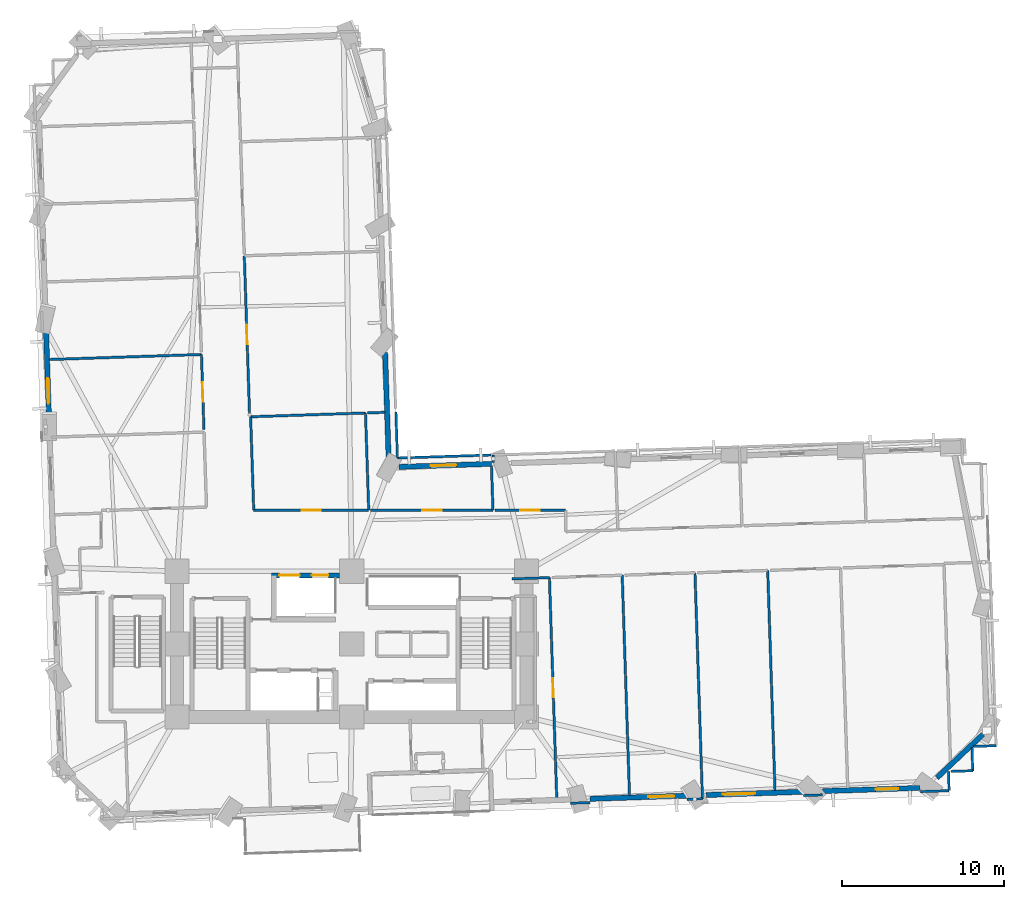
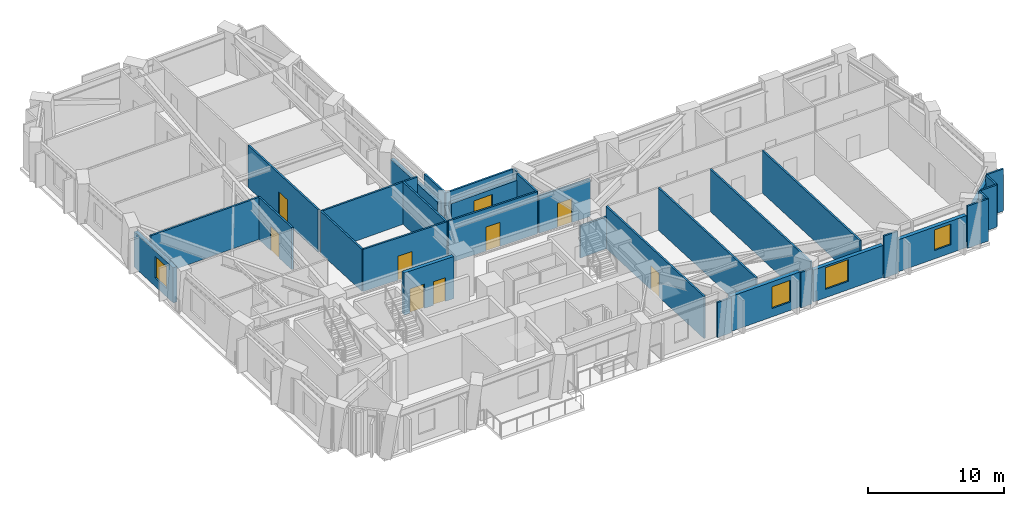
# One storey, part 7 of 14: 35 walls, 8 doors, 5 windows, 13 openings.
"""IFC4 building model written with IfcOpenShell, lengths in metres."""

from ifc_helpers import new_model, si_unit, direction, frame, frame_2d, origin, place, context, subcontext, project, spatial, rectangle, extrude, material, layer, layer_set, type_object, element, fill, save


model = new_model("IFC4")

# Units and contexts
model_context = context("Model", 3, precision=1e-05, world=origin(), true_north=direction((0.0, 1.0)))
body_context = subcontext(model_context, "Body", "Model", "MODEL_VIEW")
ifc_project = project(units=[si_unit("LENGTHUNIT", "METRE"), si_unit("AREAUNIT", "SQUARE_METRE"), si_unit("VOLUMEUNIT", "CUBIC_METRE"), si_unit("PLANEANGLEUNIT", "RADIAN"), si_unit("MASSUNIT", "GRAM", prefix="KILO")], contexts=[model_context])

# Site, building, storey
site_placement = place(None, origin())
site = spatial("IfcSite", under=ifc_project, at=site_placement, CompositionType="ELEMENT")
building_placement = place(site_placement, origin())
building = spatial("IfcBuilding", under=site, at=building_placement, Name="Gaonmaruhae Medical Tower", CompositionType="ELEMENT")
storey_placement = place(building_placement, frame((0.0, 0.0, 31.0)))
storey = spatial("IfcBuildingStorey", under=building, at=storey_placement, Name="L06", CompositionType="ELEMENT", Elevation=31.0)

# Wall, opening, window
ifc_material_1 = material(Name="Precast concrete C45/55", Category="concrete")
ifc_layer_1 = layer(ifc_material_1, 0.320068359375)
ifc_layer_set_1 = layer_set([ifc_layer_1], Name="Precast concrete C45/55")
wall_type_1 = type_object("IfcWallType", Name="EW-320 Lower Precast Masonry-Frame Facade Wall", PredefinedType="SOLIDWALL", material=ifc_layer_set_1)
wall_1_placement = place(storey_placement, frame((45.51513671875, 2.93310546875, 0.0), z_axis=(0.0, 0.0, 1.0), x_axis=(-0.999450004557, -0.033161549901, 0.0)))
wall_1 = element("IfcWall", 1, at=wall_1_placement, inside=storey, type_object=wall_type_1, Name="L06 Precast Masonry-Frame Wall S05-S06", PredefinedType="SOLIDWALL", context=body_context, shape_type="SweptSolid", body=[
    extrude(rectangle(XDim=5.992919921875, YDim=0.320068359375, at=frame_2d((2.99658203125, 0.0))), origin(), (0.0, 0.0, 1.0), 3.14501953125),
])
opening_1_placement = place(wall_1_placement, frame((0.78857421875, 0.0, 0.75)))
opening_1 = element("IfcOpeningElement", 2, at=opening_1_placement, cuts=wall_1, Name="Opening WN-01", PredefinedType="OPENING", context=body_context, shape_type="SweptSolid", body=[
    extrude(rectangle(XDim=1.60009765625, YDim=1.949951171875, at=frame_2d((0.800048828125, 0.97509765625))), frame((0.0, 0.169921875, 0.0), z_axis=(0.0, -1.0, 0.0), x_axis=(1.0, 0.0, 0.0)), (0.0, 0.0, 1.0), 0.340087890625),
])
ifc_material_2 = material(Name="Anodised aluminium and Low-E double glazing", Category="aluminium")
window_type_1 = type_object("IfcWindowType", Name="WN-01 Ward Punched Acoustic Window 1600x1950", PartitioningType="SINGLE_PANEL", PredefinedType="WINDOW", material=ifc_material_2)
window_1_placement = place(opening_1_placement, origin())
window_1 = element("IfcWindow", 3, at=window_1_placement, inside=storey, type_object=window_type_1, Name="L06 Modular Facade Window S05", OverallHeight=1.949951171875, OverallWidth=1.60009765625, PartitioningType="SINGLE_PANEL", PredefinedType="WINDOW", context=body_context, shape_type="SweptSolid", body=[
    extrude(rectangle(XDim=1.60009765625, YDim=1.949951171875, at=frame_2d((0.800048828125, 0.97509765625))), frame((0.0, 0.030029296875, 0.0), z_axis=(0.0, -1.0, 0.0), x_axis=(1.0, 0.0, 0.0)), (0.0, 0.0, 1.0), 0.06005859375),
])
fill(opening_1, window_1)

wall_2_placement = place(storey_placement, frame((52.7236328125, 3.172119140625, 0.0), z_axis=(0.0, 0.0, 1.0), x_axis=(-0.999450884899, -0.033135006788, 0.0)))
wall_2 = element("IfcWall", 4, at=wall_2_placement, inside=storey, type_object=wall_type_1, Name="L06 Precast Masonry-Frame Wall S06-S07", PredefinedType="SOLIDWALL", context=body_context, shape_type="SweptSolid", body=[
    extrude(rectangle(XDim=6.012451171875, YDim=0.320068359375, at=frame_2d((3.00634765625, 0.0))), origin(), (0.0, 0.0, 1.0), 2.864990234375),
])
opening_2_placement = place(wall_2_placement, frame((2.987548828125, 0.0, 0.75)))
opening_2 = element("IfcOpeningElement", 5, at=opening_2_placement, cuts=wall_2, Name="Opening WN-02", PredefinedType="OPENING", context=body_context, shape_type="SweptSolid", body=[
    extrude(rectangle(XDim=2.0, YDim=1.949951171875, at=frame_2d((1.0, 0.97509765625))), frame((0.0, 0.169921875, 0.0), z_axis=(0.0, -1.0, 0.0), x_axis=(1.0, 0.0, 0.0)), (0.0, 0.0, 1.0), 0.340087890625),
])
window_type_2 = type_object("IfcWindowType", Name="WN-02 Double-Bed Ward Punched Window 2000x1950", PartitioningType="SINGLE_PANEL", PredefinedType="WINDOW", material=ifc_material_2)
window_2_placement = place(opening_2_placement, origin())
window_2 = element("IfcWindow", 6, at=window_2_placement, inside=storey, type_object=window_type_2, Name="L06 Modular Facade Window S06", OverallHeight=1.949951171875, OverallWidth=2.0, PartitioningType="SINGLE_PANEL", PredefinedType="WINDOW", context=body_context, shape_type="SweptSolid", body=[
    extrude(rectangle(XDim=2.0, YDim=1.949951171875, at=frame_2d((1.0, 0.97509765625))), frame((0.0, 0.030029296875, 0.0), z_axis=(0.0, -1.0, 0.0), x_axis=(1.0, 0.0, 0.0)), (0.0, 0.0, 1.0), 0.06005859375),
])
fill(opening_2, window_2)

wall_3_placement = place(storey_placement, frame((59.9384765625, 3.41162109375, 0.0), z_axis=(0.0, 0.0, 1.0), x_axis=(-0.999450050227, -0.033160173418, 0.0)))
wall_3 = element("IfcWall", 7, at=wall_3_placement, inside=storey, type_object=wall_type_1, Name="L06 Precast Masonry-Frame Wall S07-S08", PredefinedType="SOLIDWALL", context=body_context, shape_type="SweptSolid", body=[
    extrude(rectangle(XDim=6.044677734375, YDim=0.320068359375, at=frame_2d((3.0224609375, 0.0))), origin(), (0.0, 0.0, 1.0), 2.864990234375),
])
opening_3_placement = place(wall_3_placement, frame((1.361328125, 0.0, 0.75)))
opening_3 = element("IfcOpeningElement", 8, at=opening_3_placement, cuts=wall_3, Name="Opening WN-03", PredefinedType="OPENING", context=body_context, shape_type="SweptSolid", body=[
    extrude(rectangle(XDim=1.39990234375, YDim=1.85009765625, at=frame_2d((0.699951171875, 0.925048828125))), frame((0.0, 0.169921875, 0.0), z_axis=(0.0, -1.0, 0.0), x_axis=(1.0, 0.0, 0.0)), (0.0, 0.0, 1.0), 0.340087890625),
])
window_type_3 = type_object("IfcWindowType", Name="WN-03 Isolation Ward Punched Window 1400x1850", PartitioningType="SINGLE_PANEL", PredefinedType="WINDOW", material=ifc_material_2)
window_3_placement = place(opening_3_placement, origin())
window_3 = element("IfcWindow", 9, at=window_3_placement, inside=storey, type_object=window_type_3, Name="L06 Modular Facade Window S07", OverallHeight=1.85009765625, OverallWidth=1.39990234375, PartitioningType="SINGLE_PANEL", PredefinedType="WINDOW", context=body_context, shape_type="SweptSolid", body=[
    extrude(rectangle(XDim=1.39990234375, YDim=1.85009765625, at=frame_2d((0.699951171875, 0.925048828125))), frame((0.0, 0.030029296875, 0.0), z_axis=(0.0, -1.0, 0.0), x_axis=(1.0, 0.0, 0.0)), (0.0, 0.0, 1.0), 0.06005859375),
])
fill(opening_3, window_3)

# Wall
wall_4_placement = place(storey_placement, frame((63.82470703125, 6.729248046875, 0.0), z_axis=(0.0, 0.0, 1.0), x_axis=(-0.727201022691, -0.686424557105, 0.0)))
element("IfcWall", 10, at=wall_4_placement, inside=storey, type_object=wall_type_1, Name="L06 Precast Masonry-Frame Wall S08-E01", PredefinedType="SOLIDWALL", context=body_context, shape_type="SweptSolid", body=[
    extrude(rectangle(XDim=3.927734375, YDim=0.320068359375, at=frame_2d((1.9638671875, 0.0))), origin(), (0.0, 0.0, 1.0), 3.1650390625),
])

# Wall, opening, window
wall_5_placement = place(storey_placement, frame((27.715087890625, 23.25390625, 0.0), z_axis=(0.0, 0.0, 1.0), x_axis=(0.999450231938, 0.033154696192, 0.0)))
wall_5 = element("IfcWall", 11, at=wall_5_placement, inside=storey, type_object=wall_type_1, Name="L06 Precast Masonry-Frame Wall EN04-KN01", PredefinedType="SOLIDWALL", context=body_context, shape_type="SweptSolid", body=[
    extrude(rectangle(XDim=5.736328125, YDim=0.320068359375, at=frame_2d((2.8681640625, 0.0))), origin(), (0.0, 0.0, 1.0), 3.1650390625),
])
opening_4_placement = place(wall_5_placement, frame((1.956787109375, 0.0, 0.75)))
opening_4 = element("IfcOpeningElement", 12, at=opening_4_placement, cuts=wall_5, Name="Opening WN-01", PredefinedType="OPENING", context=body_context, shape_type="SweptSolid", body=[
    extrude(rectangle(XDim=1.60009765625, YDim=1.949951171875, at=frame_2d((0.800048828125, 0.97509765625))), frame((0.0, 0.169921875, 0.0), z_axis=(0.0, -1.0, 0.0), x_axis=(1.0, 0.0, 0.0)), (0.0, 0.0, 1.0), 0.340087890625),
])
window_4_placement = place(opening_4_placement, origin())
window_4 = element("IfcWindow", 13, at=window_4_placement, inside=storey, type_object=window_type_1, Name="L06 Modular Facade Window EN04", OverallHeight=1.949951171875, OverallWidth=1.60009765625, PartitioningType="SINGLE_PANEL", PredefinedType="WINDOW", context=body_context, shape_type="SweptSolid", body=[
    extrude(rectangle(XDim=1.60009765625, YDim=1.949951171875, at=frame_2d((0.800048828125, 0.97509765625))), frame((0.0, 0.030029296875, 0.0), z_axis=(0.0, -1.0, 0.0), x_axis=(1.0, 0.0, 0.0)), (0.0, 0.0, 1.0), 0.06005859375),
])
fill(opening_4, window_4)

# Wall
wall_6_placement = place(storey_placement, frame((27.080078125, 23.786865234375, 0.0), z_axis=(0.0, 0.0, 1.0), x_axis=(-0.033169315514, 0.999449746865, 0.0)))
element("IfcWall", 14, at=wall_6_placement, inside=storey, type_object=wall_type_1, Name="L06 Precast Masonry-Frame Wall KN01-NE01", PredefinedType="SOLIDWALL", context=body_context, shape_type="SweptSolid", body=[
    extrude(rectangle(XDim=6.5361328125, YDim=0.320068359375, at=frame_2d((3.26806640625, 0.0))), origin(), (0.0, 0.0, 1.0), 3.1650390625),
])

# Wall, opening, window
wall_7_placement = place(storey_placement, frame((6.087890625, 26.218505859375, 0.0), z_axis=(0.0, 0.0, 1.0), x_axis=(-0.033177305137, 0.999449481677, 0.0)))
wall_7 = element("IfcWall", 15, at=wall_7_placement, inside=storey, type_object=wall_type_1, Name="L06 Precast Masonry-Frame Wall W03-W04", PredefinedType="SOLIDWALL", context=body_context, shape_type="SweptSolid", body=[
    extrude(rectangle(XDim=5.43798828125, YDim=0.320068359375, at=frame_2d((2.718994140625, 0.0))), origin(), (0.0, 0.0, 1.0), 3.1650390625),
])
opening_5_placement = place(wall_7_placement, frame((0.93017578125, 0.0, 0.75)))
opening_5 = element("IfcOpeningElement", 16, at=opening_5_placement, cuts=wall_7, Name="Opening WN-01", PredefinedType="OPENING", context=body_context, shape_type="SweptSolid", body=[
    extrude(rectangle(XDim=1.60009765625, YDim=1.949951171875, at=frame_2d((0.800048828125, 0.97509765625))), frame((0.0, 0.169921875, 0.0), z_axis=(0.0, -1.0, 0.0), x_axis=(1.0, 0.0, 0.0)), (0.0, 0.0, 1.0), 0.340087890625),
])
window_5_placement = place(opening_5_placement, origin())
window_5 = element("IfcWindow", 17, at=window_5_placement, inside=storey, type_object=window_type_1, Name="L06 Modular Facade Window W03", OverallHeight=1.949951171875, OverallWidth=1.60009765625, PartitioningType="SINGLE_PANEL", PredefinedType="WINDOW", context=body_context, shape_type="SweptSolid", body=[
    extrude(rectangle(XDim=1.60009765625, YDim=1.949951171875, at=frame_2d((0.800048828125, 0.97509765625))), frame((0.0, 0.030029296875, 0.0), z_axis=(0.0, -1.0, 0.0), x_axis=(1.0, 0.0, 0.0)), (0.0, 0.0, 1.0), 0.06005859375),
])
fill(opening_5, window_5)

# Wall
ifc_material_3 = material(Name="Gypsum board partition", Category="gypsum")
ifc_layer_2 = layer(ifc_material_3, 0.14990234375)
ifc_layer_set_2 = layer_set([ifc_layer_2], Name="Gypsum board partition")
wall_type_2 = type_object("IfcWallType", Name="PW-150 Rated Clinical Corridor Partition", PredefinedType="PARTITIONING", material=ifc_layer_set_2)
wall_8_placement = place(storey_placement, frame((34.7060546875, 16.33203125, 0.0), z_axis=(0.0, 0.0, 1.0), x_axis=(0.999448179147, 0.033216519986, 0.0)))
element("IfcWall", 18, at=wall_8_placement, inside=storey, type_object=wall_type_2, Name="L06 Interior Partition L06-TRM07-32", PredefinedType="PARTITIONING", context=body_context, shape_type="SweptSolid", body=[
    extrude(rectangle(XDim=2.315185546875, YDim=0.14990234375, at=frame_2d((1.15771484375, 0.0))), origin(), (0.0, 0.0, 1.0), 2.864990234375),
])

# Wall, opening, door
wall_9_placement = place(storey_placement, frame((37.02001953125, 16.408935546875, 0.0), z_axis=(0.0, 0.0, 1.0), x_axis=(0.033190644995, -0.999449038763, 0.0)))
wall_9 = element("IfcWall", 19, at=wall_9_placement, inside=storey, type_object=wall_type_2, Name="L06 Interior Partition L06-TRM07-33", PredefinedType="PARTITIONING", context=body_context, shape_type="SweptSolid", body=[
    extrude(rectangle(XDim=13.615478515625, YDim=0.14990234375, at=frame_2d((6.8076171875, 0.0))), origin(), (0.0, 0.0, 1.0), 3.780029296875),
])
opening_6_placement = place(wall_9_placement, frame((6.207763671875, 0.0, 0.0)))
opening_6 = element("IfcOpeningElement", 20, at=opening_6_placement, cuts=wall_9, Name="Opening CD-02", PredefinedType="OPENING", context=body_context, shape_type="SweptSolid", body=[
    extrude(rectangle(XDim=1.199951171875, YDim=2.14990234375, at=frame_2d((0.60009765625, 1.074951171875))), frame((0.0, 0.0849609375, 0.0), z_axis=(0.0, -1.0, 0.0), x_axis=(1.0, 0.0, 0.0)), (0.0, 0.0, 1.0), 0.169921875),
])
ifc_material_4 = material(Name="Antimicrobial laminate timber fire door", Category="wood")
door_type_1 = type_object("IfcDoorType", Name="CD-02 Clinical Treatment & Procedure Door 1200x2150", OperationType="NOTDEFINED", PredefinedType="DOOR", material=ifc_material_4)
door_1_placement = place(opening_6_placement, origin())
door_1 = element("IfcDoor", 21, at=door_1_placement, inside=storey, type_object=door_type_1, Name="L06 Clinical Procedure Examination Room Sliding Door", OperationType="SLIDING_TO_LEFT", OverallHeight=2.14990234375, OverallWidth=1.199951171875, PredefinedType="DOOR", context=body_context, shape_type="SweptSolid", body=[
    extrude(rectangle(XDim=1.199951171875, YDim=2.14990234375, at=frame_2d((0.60009765625, 1.074951171875))), frame((0.0, 0.02490234375, 0.0), z_axis=(0.0, -1.0, 0.0), x_axis=(1.0, 0.0, 0.0)), (0.0, 0.0, 1.0), 0.050048828125),
])
fill(opening_6, door_1)

# Walls
wall_10_placement = place(storey_placement, frame((41.51806640625, 16.55810546875, 0.0), z_axis=(0.0, 0.0, 1.0), x_axis=(0.033118405438, -0.999451435149, 0.0)))
element("IfcWall", 22, at=wall_10_placement, inside=storey, type_object=wall_type_2, Name="L06 Interior Partition L06-SUP08-35", PredefinedType="PARTITIONING", context=body_context, shape_type="SweptSolid", body=[
    extrude(rectangle(XDim=13.61572265625, YDim=0.14990234375, at=frame_2d((6.807861328125, 0.0))), origin(), (0.0, 0.0, 1.0), 3.780029296875),
])
wall_11_placement = place(storey_placement, frame((39.532958984375, 2.5048828125, 0.0), z_axis=(0.0, 0.0, 1.0), x_axis=(-0.999434580293, -0.033623202036, 0.0)))
element("IfcWall", 23, at=wall_11_placement, inside=storey, type_object=wall_type_2, Name="L06 Interior Partition L06-SUP08-36", PredefinedType="PARTITIONING", context=body_context, shape_type="SweptSolid", body=[
    extrude(rectangle(XDim=1.212646484375, YDim=0.14990234375, at=frame_2d((0.6064453125, 0.0))), origin(), (0.0, 0.0, 1.0), 3.14501953125),
])
wall_12_placement = place(storey_placement, frame((46.014892578125, 16.70703125, 0.0), z_axis=(0.0, 0.0, 1.0), x_axis=(0.033199113875, -0.999448757485, 0.0)))
element("IfcWall", 24, at=wall_12_placement, inside=storey, type_object=wall_type_2, Name="L06 Interior Partition L06-SUP09-38", PredefinedType="PARTITIONING", context=body_context, shape_type="SweptSolid", body=[
    extrude(rectangle(XDim=13.979736328125, YDim=0.14990234375, at=frame_2d((6.98974609375, 0.0))), origin(), (0.0, 0.0, 1.0), 3.780029296875),
])
wall_13_placement = place(storey_placement, frame((46.47900390625, 2.735107421875, 0.0), z_axis=(0.0, 0.0, 1.0), x_axis=(-0.999432373579, -0.033688731694, 0.0)))
element("IfcWall", 25, at=wall_13_placement, inside=storey, type_object=wall_type_2, Name="L06 Interior Partition L06-SUP09-39", PredefinedType="PARTITIONING", context=body_context, shape_type="SweptSolid", body=[
    extrude(rectangle(XDim=0.95654296875, YDim=0.14990234375, at=frame_2d((0.478271484375, 0.0))), origin(), (0.0, 0.0, 1.0), 3.1650390625),
])
wall_14_placement = place(storey_placement, frame((50.512939453125, 16.85595703125, 0.0), z_axis=(0.0, 0.0, 1.0), x_axis=(0.033139286129, -0.999450743016, 0.0)))
element("IfcWall", 26, at=wall_14_placement, inside=storey, type_object=wall_type_2, Name="L06 Interior Partition L06-SUP10-41", PredefinedType="PARTITIONING", context=body_context, shape_type="SweptSolid", body=[
    extrude(rectangle(XDim=13.614501953125, YDim=0.14990234375, at=frame_2d((6.80712890625, 0.0))), origin(), (0.0, 0.0, 1.0), 3.780029296875),
])
wall_15_placement = place(storey_placement, frame((53.905029296875, 2.98095703125, 0.0), z_axis=(0.0, 0.0, 1.0), x_axis=(-0.999446981017, -0.033252550834, 0.0)))
element("IfcWall", 27, at=wall_15_placement, inside=storey, type_object=wall_type_2, Name="L06 Interior Partition L06-SUP11-44", PredefinedType="PARTITIONING", context=body_context, shape_type="SweptSolid", body=[
    extrude(rectangle(XDim=1.1748046875, YDim=0.14990234375, at=frame_2d((0.58740234375, 0.0))), origin(), (0.0, 0.0, 1.0), 3.780029296875),
])
wall_16_placement = place(storey_placement, frame((61.72998046875, 3.240966796875, 0.0), z_axis=(0.0, 0.0, 1.0), x_axis=(-0.999452019089, -0.033100778516, 0.0)))
element("IfcWall", 28, at=wall_16_placement, inside=storey, type_object=wall_type_2, Name="L06 Interior Partition L06-SUP12-45", PredefinedType="PARTITIONING", context=body_context, shape_type="SweptSolid", body=[
    extrude(rectangle(XDim=1.784912109375, YDim=0.14990234375, at=frame_2d((0.892578125, 0.0))), origin(), (0.0, 0.0, 1.0), 3.780029296875),
])
wall_17_placement = place(storey_placement, frame((61.69091796875, 4.419921875, 0.0), z_axis=(0.0, 0.0, 1.0), x_axis=(0.033114981937, -0.999451548586, 0.0)))
element("IfcWall", 29, at=wall_17_placement, inside=storey, type_object=wall_type_2, Name="L06 Interior Partition L06-SUP12-48", PredefinedType="PARTITIONING", context=body_context, shape_type="SweptSolid", body=[
    extrude(rectangle(XDim=1.1796875, YDim=0.14990234375, at=frame_2d((0.58984375, 0.0))), origin(), (0.0, 0.0, 1.0), 3.780029296875),
])
wall_18_placement = place(storey_placement, frame((6.10107421875, 29.89111328125, 0.0), z_axis=(0.0, 0.0, 1.0), x_axis=(0.999451592483, 0.033113657048, 0.0)))
element("IfcWall", 30, at=wall_18_placement, inside=storey, type_object=wall_type_2, Name="L06 Interior Partition L06-WOF15-58", PredefinedType="PARTITIONING", context=body_context, shape_type="SweptSolid", body=[
    extrude(rectangle(XDim=9.4150390625, YDim=0.14990234375, at=frame_2d((4.70751953125, 0.0))), origin(), (0.0, 0.0, 1.0), 3.780029296875),
])

# Wall, opening, door
wall_19_placement = place(storey_placement, frame((15.510986328125, 30.202880859375, 0.0), z_axis=(0.0, 0.0, 1.0), x_axis=(0.033204446596, -0.999448580331, 0.0)))
wall_19 = element("IfcWall", 31, at=wall_19_placement, inside=storey, type_object=wall_type_2, Name="L06 Interior Partition L06-WOF15-59", PredefinedType="PARTITIONING", context=body_context, shape_type="SweptSolid", body=[
    extrude(rectangle(XDim=4.639404296875, YDim=0.14990234375, at=frame_2d((2.31982421875, 0.0))), origin(), (0.0, 0.0, 1.0), 3.780029296875),
])
opening_7_placement = place(wall_19_placement, frame((1.7197265625, 0.0, 0.0)))
opening_7 = element("IfcOpeningElement", 32, at=opening_7_placement, cuts=wall_19, Name="Opening CD-02", PredefinedType="OPENING", context=body_context, shape_type="SweptSolid", body=[
    extrude(rectangle(XDim=1.199951171875, YDim=2.14990234375, at=frame_2d((0.60009765625, 1.074951171875))), frame((0.0, 0.0849609375, 0.0), z_axis=(0.0, -1.0, 0.0), x_axis=(1.0, 0.0, 0.0)), (0.0, 0.0, 1.0), 0.169921875),
])
door_2_placement = place(opening_7_placement, origin())
door_2 = element("IfcDoor", 33, at=door_2_placement, inside=storey, type_object=door_type_1, Name="L06 Ward Physician Reporting Office Door", OperationType="SINGLE_SWING_RIGHT", OverallHeight=2.14990234375, OverallWidth=1.199951171875, PredefinedType="DOOR", context=body_context, shape_type="SweptSolid", body=[
    extrude(rectangle(XDim=1.199951171875, YDim=2.14990234375, at=frame_2d((0.60009765625, 1.074951171875))), frame((0.0, 0.02490234375, 0.0), z_axis=(0.0, -1.0, 0.0), x_axis=(1.0, 0.0, 0.0)), (0.0, 0.0, 1.0), 0.050048828125),
])
fill(opening_7, door_2)

# Walls
wall_20_placement = place(storey_placement, frame((18.550048828125, 26.35205078125, 0.0), z_axis=(0.0, 0.0, 1.0), x_axis=(0.999453304849, 0.033061933196, 0.0)))
element("IfcWall", 34, at=wall_20_placement, inside=storey, type_object=wall_type_2, Name="L06 Interior Partition L06-IE01-75", PredefinedType="PARTITIONING", context=body_context, shape_type="SweptSolid", body=[
    extrude(rectangle(XDim=7.103759765625, YDim=0.14990234375, at=frame_2d((3.5517578125, 0.0))), origin(), (0.0, 0.0, 1.0), 3.780029296875),
])
wall_21_placement = place(storey_placement, frame((25.64990234375, 26.5869140625, 0.0), z_axis=(0.0, 0.0, 1.0), x_axis=(0.033309420078, -0.999445087303, 0.0)))
element("IfcWall", 35, at=wall_21_placement, inside=storey, type_object=wall_type_2, Name="L06 Interior Partition L06-IE01-76", PredefinedType="PARTITIONING", context=body_context, shape_type="SweptSolid", body=[
    extrude(rectangle(XDim=6.01025390625, YDim=0.14990234375, at=frame_2d((3.005126953125, 0.0))), origin(), (0.0, 0.0, 1.0), 3.780029296875),
])

# Wall, opening, door
wall_22_placement = place(storey_placement, frame((25.85009765625, 20.580078125, 0.0), z_axis=(0.0, 0.0, 1.0), x_axis=(-1.0, 0.0, 0.0)))
wall_22 = element("IfcWall", 36, at=wall_22_placement, inside=storey, type_object=wall_type_2, Name="L06 Interior Partition L06-IE01-77", PredefinedType="PARTITIONING", context=body_context, shape_type="SweptSolid", body=[
    extrude(rectangle(XDim=7.108154296875, YDim=0.14990234375, at=frame_2d((3.55419921875, 0.0))), origin(), (0.0, 0.0, 1.0), 3.780029296875),
])
opening_8_placement = place(wall_22_placement, frame((2.9541015625, 0.0, 0.0)))
opening_8 = element("IfcOpeningElement", 37, at=opening_8_placement, cuts=wall_22, Name="Opening CD-02", PredefinedType="OPENING", context=body_context, shape_type="SweptSolid", body=[
    extrude(rectangle(XDim=1.199951171875, YDim=2.14990234375, at=frame_2d((0.60009765625, 1.074951171875))), frame((0.0, 0.0849609375, 0.0), z_axis=(0.0, -1.0, 0.0), x_axis=(1.0, 0.0, 0.0)), (0.0, 0.0, 1.0), 0.169921875),
])
door_3_placement = place(opening_8_placement, origin())
door_3 = element("IfcDoor", 38, at=door_3_placement, inside=storey, type_object=door_type_1, Name="L06 Central Clinical Nurse Station Door", OperationType="SINGLE_SWING_RIGHT", OverallHeight=2.14990234375, OverallWidth=1.199951171875, PredefinedType="DOOR", context=body_context, shape_type="SweptSolid", body=[
    extrude(rectangle(XDim=1.199951171875, YDim=2.14990234375, at=frame_2d((0.60009765625, 1.074951171875))), frame((0.0, 0.02490234375, 0.0), z_axis=(0.0, -1.0, 0.0), x_axis=(1.0, 0.0, 0.0)), (0.0, 0.0, 1.0), 0.050048828125),
])
fill(opening_8, door_3)

# Walls
wall_23_placement = place(storey_placement, frame((18.741943359375, 20.580078125, 0.0), z_axis=(0.0, 0.0, 1.0), x_axis=(-0.033227560289, 0.999447812163, 0.0)))
element("IfcWall", 39, at=wall_23_placement, inside=storey, type_object=wall_type_2, Name="L06 Interior Partition L06-IE01-78", PredefinedType="PARTITIONING", context=body_context, shape_type="SweptSolid", body=[
    extrude(rectangle(XDim=5.775146484375, YDim=0.14990234375, at=frame_2d((2.8876953125, 0.0))), origin(), (0.0, 0.0, 1.0), 3.780029296875),
])
wall_24_placement = place(storey_placement, frame((25.77001953125, 26.591064453125, 0.0), z_axis=(0.0, 0.0, 1.0), x_axis=(0.999449407039, 0.033179553486, 0.0)))
element("IfcWall", 40, at=wall_24_placement, inside=storey, type_object=wall_type_2, Name="L06 Interior Partition L06-IE02-79", PredefinedType="PARTITIONING", context=body_context, shape_type="SweptSolid", body=[
    extrude(rectangle(XDim=1.08154296875, YDim=0.14990234375, at=frame_2d((0.540771484375, 0.0))), origin(), (0.0, 0.0, 1.0), 3.780029296875),
])
wall_25_placement = place(storey_placement, frame((27.534912109375, 26.64990234375, 0.0), z_axis=(0.0, 0.0, 1.0), x_axis=(0.033329094198, -0.999444431412, 0.0)))
element("IfcWall", 41, at=wall_25_placement, inside=storey, type_object=wall_type_2, Name="L06 Interior Partition L06-IE02-80", PredefinedType="PARTITIONING", context=body_context, shape_type="SweptSolid", body=[
    extrude(rectangle(XDim=2.849365234375, YDim=0.14990234375, at=frame_2d((1.4248046875, 0.0))), origin(), (0.0, 0.0, 1.0), 3.780029296875),
])
wall_26_placement = place(storey_placement, frame((27.6298828125, 23.802001953125, 0.0), z_axis=(0.0, 0.0, 1.0), x_axis=(0.999456083322, 0.032977833635, 0.0)))
element("IfcWall", 42, at=wall_26_placement, inside=storey, type_object=wall_type_2, Name="L06 Interior Partition L06-IE02-81", PredefinedType="PARTITIONING", context=body_context, shape_type="SweptSolid", body=[
    extrude(rectangle(XDim=5.789306640625, YDim=0.14990234375, at=frame_2d((2.89453125, 0.0))), origin(), (0.0, 0.0, 1.0), 3.780029296875),
])
wall_27_placement = place(storey_placement, frame((33.43896484375, 23.30908203125, 0.0), z_axis=(0.0, 0.0, 1.0), x_axis=(0.03299329991, -0.99945557288, 0.0)))
element("IfcWall", 43, at=wall_27_placement, inside=storey, type_object=wall_type_2, Name="L06 Interior Partition L06-IE02-82", PredefinedType="PARTITIONING", context=body_context, shape_type="SweptSolid", body=[
    extrude(rectangle(XDim=2.73046875, YDim=0.14990234375, at=frame_2d((1.365234375, 0.0))), origin(), (0.0, 0.0, 1.0), 3.780029296875),
])

# Wall, opening, door
wall_28_placement = place(storey_placement, frame((33.529052734375, 20.580078125, 0.0), z_axis=(0.0, 0.0, 1.0), x_axis=(-1.0, 0.0, 0.0)))
wall_28 = element("IfcWall", 44, at=wall_28_placement, inside=storey, type_object=wall_type_2, Name="L06 Interior Partition L06-IE02-83", PredefinedType="PARTITIONING", context=body_context, shape_type="SweptSolid", body=[
    extrude(rectangle(XDim=7.55908203125, YDim=0.14990234375, at=frame_2d((3.779541015625, 0.0))), origin(), (0.0, 0.0, 1.0), 3.780029296875),
])
opening_9_placement = place(wall_28_placement, frame((3.179443359375, 0.0, 0.0)))
opening_9 = element("IfcOpeningElement", 45, at=opening_9_placement, cuts=wall_28, Name="Opening CD-02", PredefinedType="OPENING", context=body_context, shape_type="SweptSolid", body=[
    extrude(rectangle(XDim=1.199951171875, YDim=2.14990234375, at=frame_2d((0.60009765625, 1.074951171875))), frame((0.0, 0.0849609375, 0.0), z_axis=(0.0, -1.0, 0.0), x_axis=(1.0, 0.0, 0.0)), (0.0, 0.0, 1.0), 0.169921875),
])
door_4_placement = place(opening_9_placement, origin())
door_4 = element("IfcDoor", 46, at=door_4_placement, inside=storey, type_object=door_type_1, Name="L06 Acute Treatment Examination Room Door", OperationType="SINGLE_SWING_LEFT", OverallHeight=2.14990234375, OverallWidth=1.199951171875, PredefinedType="DOOR", context=body_context, shape_type="SweptSolid", body=[
    extrude(rectangle(XDim=1.199951171875, YDim=2.14990234375, at=frame_2d((0.60009765625, 1.074951171875))), frame((0.0, 0.02490234375, 0.0), z_axis=(0.0, -1.0, 0.0), x_axis=(1.0, 0.0, 0.0)), (0.0, 0.0, 1.0), 0.050048828125),
])
fill(opening_9, door_4)

wall_29_placement = place(storey_placement, frame((38.0, 20.580078125, 0.0), z_axis=(0.0, 0.0, 1.0), x_axis=(-1.0, 0.0, 0.0)))
wall_29 = element("IfcWall", 47, at=wall_29_placement, inside=storey, type_object=wall_type_2, Name="L06 Interior Partition L06-IE03-84", PredefinedType="PARTITIONING", context=body_context, shape_type="SweptSolid", body=[
    extrude(rectangle(XDim=4.35107421875, YDim=0.14990234375, at=frame_2d((2.175537109375, 0.0))), origin(), (0.0, 0.0, 1.0), 3.364990234375),
])
opening_10_placement = place(wall_29_placement, frame((1.575439453125, 0.0, 0.0)))
opening_10 = element("IfcOpeningElement", 48, at=opening_10_placement, cuts=wall_29, Name="Opening CD-02", PredefinedType="OPENING", context=body_context, shape_type="SweptSolid", body=[
    extrude(rectangle(XDim=1.199951171875, YDim=2.14990234375, at=frame_2d((0.60009765625, 1.074951171875))), frame((0.0, 0.0849609375, 0.0), z_axis=(0.0, -1.0, 0.0), x_axis=(1.0, 0.0, 0.0)), (0.0, 0.0, 1.0), 0.169921875),
])
door_5_placement = place(opening_10_placement, origin())
door_5 = element("IfcDoor", 49, at=door_5_placement, inside=storey, type_object=door_type_1, Name="L06 Clean Medication Preparation Room Door", OperationType="SINGLE_SWING_LEFT", OverallHeight=2.14990234375, OverallWidth=1.199951171875, PredefinedType="DOOR", context=body_context, shape_type="SweptSolid", body=[
    extrude(rectangle(XDim=1.199951171875, YDim=2.14990234375, at=frame_2d((0.60009765625, 1.074951171875))), frame((0.0, 0.02490234375, 0.0), z_axis=(0.0, -1.0, 0.0), x_axis=(1.0, 0.0, 0.0)), (0.0, 0.0, 1.0), 0.050048828125),
])
fill(opening_10, door_5)

# Wall
wall_30_placement = place(storey_placement, frame((33.551025390625, 23.531005859375, 0.0), z_axis=(0.0, 0.0, 1.0), x_axis=(-0.03246062176, 0.999473015161, 0.0)))
element("IfcWall", 50, at=wall_30_placement, inside=storey, type_object=wall_type_2, Name="L06 Interior Partition L06-IE03-85", PredefinedType="PARTITIONING", context=body_context, shape_type="SweptSolid", body=[
    extrude(rectangle(XDim=0.46630859375, YDim=0.14990234375, at=frame_2d((0.233154296875, 0.0))), origin(), (0.0, 0.0, 1.0), 3.780029296875),
])

# Wall, opening, door
wall_31_placement = place(storey_placement, frame((18.48291015625, 26.56005859375, 0.0), z_axis=(0.0, 0.0, 1.0), x_axis=(-0.033130558388, 0.999451032368, 0.0)))
wall_31 = element("IfcWall", 51, at=wall_31_placement, inside=storey, type_object=wall_type_2, Name="L06 Interior Partition L06-IN01-102", PredefinedType="PARTITIONING", context=body_context, shape_type="SweptSolid", body=[
    extrude(rectangle(XDim=9.749267578125, YDim=0.14990234375, at=frame_2d((4.87451171875, 0.0))), origin(), (0.0, 0.0, 1.0), 3.780029296875),
])
opening_11_placement = place(wall_31_placement, frame((4.274658203125, 0.0, 0.0)))
opening_11 = element("IfcOpeningElement", 52, at=opening_11_placement, cuts=wall_31, Name="Opening CD-02", PredefinedType="OPENING", context=body_context, shape_type="SweptSolid", body=[
    extrude(rectangle(XDim=1.199951171875, YDim=2.14990234375, at=frame_2d((0.60009765625, 1.074951171875))), frame((0.0, 0.0849609375, 0.0), z_axis=(0.0, -1.0, 0.0), x_axis=(1.0, 0.0, 0.0)), (0.0, 0.0, 1.0), 0.169921875),
])
door_6_placement = place(opening_11_placement, origin())
door_6 = element("IfcDoor", 53, at=door_6_placement, inside=storey, type_object=door_type_1, Name="L06 Physician Consultation Office Door", OperationType="SINGLE_SWING_LEFT", OverallHeight=2.14990234375, OverallWidth=1.199951171875, PredefinedType="DOOR", context=body_context, shape_type="SweptSolid", body=[
    extrude(rectangle(XDim=1.199951171875, YDim=2.14990234375, at=frame_2d((0.60009765625, 1.074951171875))), frame((0.0, 0.02490234375, 0.0), z_axis=(0.0, -1.0, 0.0), x_axis=(1.0, 0.0, 0.0)), (0.0, 0.0, 1.0), 0.050048828125),
])
fill(opening_11, door_6)

# Walls
wall_32_placement = place(storey_placement, frame((64.639892578125, 6.01904296875, 0.0), z_axis=(0.0, 0.0, 1.0), x_axis=(-0.999450610136, -0.033143293429, 0.0)))
element("IfcWall", 54, at=wall_32_placement, inside=storey, type_object=wall_type_2, Name="L06 Interior Partition L06-RM02-117", PredefinedType="PARTITIONING", context=body_context, shape_type="SweptSolid", body=[
    extrude(rectangle(XDim=1.421630859375, YDim=0.14990234375, at=frame_2d((0.7109375, 0.0))), origin(), (0.0, 0.0, 1.0), 3.780029296875),
])
wall_33_placement = place(storey_placement, frame((63.14306640625, 5.89990234375, 0.0), z_axis=(0.0, 0.0, 1.0), x_axis=(0.032763687936, -0.99946312626, 0.0)))
element("IfcWall", 55, at=wall_33_placement, inside=storey, type_object=wall_type_2, Name="L06 Interior Partition L06-RM02-118", PredefinedType="PARTITIONING", context=body_context, shape_type="SweptSolid", body=[
    extrude(rectangle(XDim=1.4306640625, YDim=0.14990234375, at=frame_2d((0.71533203125, 0.0))), origin(), (0.0, 0.0, 1.0), 3.780029296875),
])
wall_34_placement = place(storey_placement, frame((63.18994140625, 4.469970703125, 0.0), z_axis=(0.0, 0.0, 1.0), x_axis=(-0.999437601352, -0.033533282029, 0.0)))
element("IfcWall", 56, at=wall_34_placement, inside=storey, type_object=wall_type_2, Name="L06 Interior Partition L06-RM02-119", PredefinedType="PARTITIONING", context=body_context, shape_type="SweptSolid", body=[
    extrude(rectangle(XDim=1.339599609375, YDim=0.14990234375, at=frame_2d((0.669921875, 0.0))), origin(), (0.0, 0.0, 1.0), 3.780029296875),
])

# Wall, openings, doors
ifc_material_5 = material(Name="Concrete C50/60", Category="concrete")
ifc_layer_3 = layer(ifc_material_5, 0.300048828125)
ifc_layer_set_3 = layer_set([ifc_layer_3], Name="Concrete C50/60")
wall_type_3 = type_object("IfcWallType", Name="SW-300 Stair & Lift Hoistway Shaft Wall", PredefinedType="SOLIDWALL", material=ifc_layer_set_3)
wall_35_placement = place(storey_placement, frame((19.85009765625, 16.550048828125, 0.0), z_axis=(0.0, 0.0, 1.0), x_axis=(1.0, 0.0, 0.0)))
wall_35 = element("IfcWall", 57, at=wall_35_placement, inside=storey, type_object=wall_type_3, Name="L06 Core Shear Wall CSW-NB", PredefinedType="SOLIDWALL", context=body_context, shape_type="SweptSolid", body=[
    extrude(rectangle(XDim=4.199951171875, YDim=0.300048828125, at=frame_2d((2.10009765625, 0.0))), origin(), (0.0, 0.0, 1.0), 3.780029296875),
])
opening_12_placement = place(wall_35_placement, frame((0.47509765625, 0.0, 0.0)))
opening_12 = element("IfcOpeningElement", 58, at=opening_12_placement, cuts=wall_35, Name="Opening LD-F1", PredefinedType="OPENING", context=body_context, shape_type="SweptSolid", body=[
    extrude(rectangle(XDim=1.25, YDim=2.179931640625, at=frame_2d((0.625, 1.08984375))), frame((0.0, 0.16015625, 0.0), z_axis=(0.0, -1.0, 0.0), x_axis=(1.0, 0.0, 0.0)), (0.0, 0.0, 1.0), 0.320068359375),
])
opening_13_placement = place(wall_35_placement, frame((2.489990234375, 0.0, 0.0)))
opening_13 = element("IfcOpeningElement", 59, at=opening_13_placement, cuts=wall_35, Name="Opening LD-S1", PredefinedType="OPENING", context=body_context, shape_type="SweptSolid", body=[
    extrude(rectangle(XDim=1.02001953125, YDim=2.1201171875, at=frame_2d((0.510009765625, 1.06005859375))), frame((0.0, 0.16015625, 0.0), z_axis=(0.0, -1.0, 0.0), x_axis=(1.0, 0.0, 0.0)), (0.0, 0.0, 1.0), 0.320068359375),
])
ifc_material_6 = material(Name="Brushed stainless steel 316L landing door", Category="steel")
door_type_2 = type_object("IfcDoorType", Name="LD-F1 Firefighting & Bed Lift Sliding Landing Door 1250x2180", OperationType="NOTDEFINED", PredefinedType="DOOR", material=ifc_material_6)
door_7_placement = place(opening_12_placement, origin())
door_7 = element("IfcDoor", 60, at=door_7_placement, inside=storey, type_object=door_type_2, Name="L06 Service/Bed Lift Landing Door BDL-01", OperationType="DOUBLE_DOOR_SLIDING", OverallHeight=2.179931640625, OverallWidth=1.25, PredefinedType="DOOR", context=body_context, shape_type="SweptSolid", body=[
    extrude(rectangle(XDim=1.25, YDim=2.179931640625, at=frame_2d((0.625, 1.08984375))), frame((0.0, 0.02490234375, 0.0), z_axis=(0.0, -1.0, 0.0), x_axis=(1.0, 0.0, 0.0)), (0.0, 0.0, 1.0), 0.050048828125),
])
fill(opening_12, door_7)
ifc_material_7 = material(Name="Brushed stainless steel 304 landing door", Category="steel")
door_type_3 = type_object("IfcDoorType", Name="LD-S1 Service Lift Sliding Landing Door 1020x2120", OperationType="NOTDEFINED", PredefinedType="DOOR", material=ifc_material_7)
door_8_placement = place(opening_13_placement, origin())
door_8 = element("IfcDoor", 61, at=door_8_placement, inside=storey, type_object=door_type_3, Name="L06 Service/Bed Lift Landing Door SVL-01", OperationType="SLIDING_TO_LEFT", OverallHeight=2.1201171875, OverallWidth=1.02001953125, PredefinedType="DOOR", context=body_context, shape_type="SweptSolid", body=[
    extrude(rectangle(XDim=1.02001953125, YDim=2.1201171875, at=frame_2d((0.510009765625, 1.06005859375))), frame((0.0, 0.02490234375, 0.0), z_axis=(0.0, -1.0, 0.0), x_axis=(1.0, 0.0, 0.0)), (0.0, 0.0, 1.0), 0.050048828125),
])
fill(opening_13, door_8)

save(model, "model.ifc")
